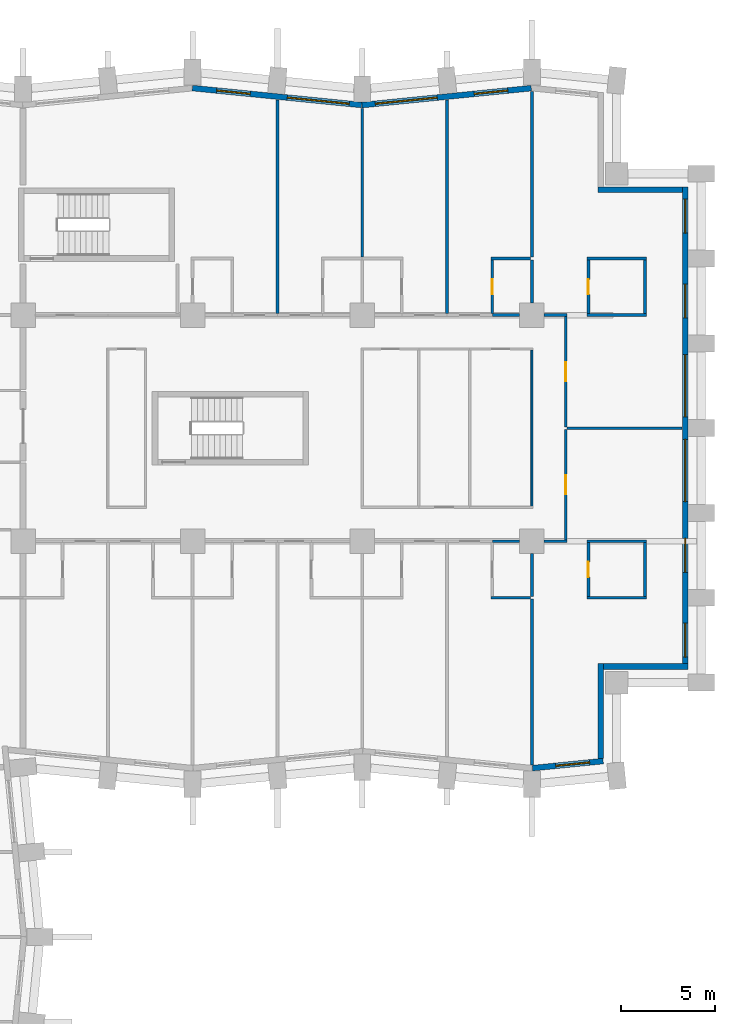
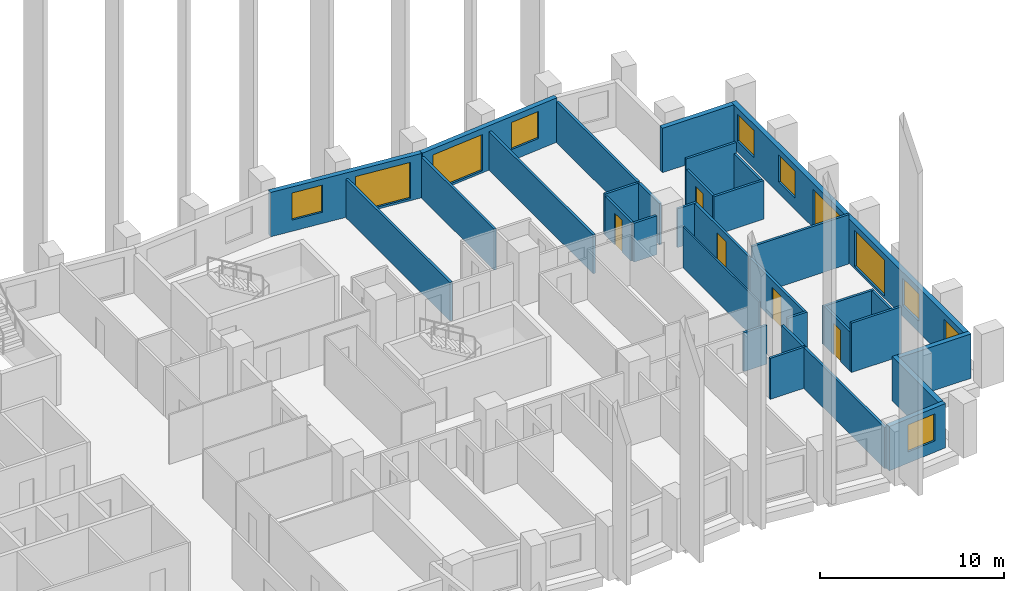
# One storey, part 10 of 13: 33 walls, 11 windows, 5 doors, 16 openings.
"""IFC4 building model written with IfcOpenShell, lengths in metres."""

from ifc_helpers import new_model, si_unit, direction, frame, frame_2d, origin, place, context, subcontext, project, spatial, rectangle, extrude, material, layer, layer_set, type_object, element, fill, save


model = new_model("IFC4")

# Units and contexts
model_context = context("Model", 3, precision=1e-05, world=origin(), true_north=direction((0.0, 1.0)))
body_context = subcontext(model_context, "Body", "Model", "MODEL_VIEW")
ifc_project = project(units=[si_unit("LENGTHUNIT", "METRE"), si_unit("AREAUNIT", "SQUARE_METRE"), si_unit("VOLUMEUNIT", "CUBIC_METRE"), si_unit("PLANEANGLEUNIT", "RADIAN"), si_unit("MASSUNIT", "GRAM", prefix="KILO")], contexts=[model_context])

# Site, building, storey
site_placement = place(None, origin())
site = spatial("IfcSite", under=ifc_project, at=site_placement, CompositionType="ELEMENT")
building_placement = place(site_placement, origin())
building = spatial("IfcBuilding", under=site, at=building_placement, Name="Brondeck Convention Tower", CompositionType="ELEMENT")
storey_placement = place(building_placement, frame((0.0, 0.0, 37.5)))
storey = spatial("IfcBuildingStorey", under=building, at=storey_placement, Name="L06", CompositionType="ELEMENT", Elevation=37.5)

# Wall, opening, window
ifc_material_1 = material(Name="Precast concrete C50/60 bronze finish", Category="concrete")
ifc_layer_1 = layer(ifc_material_1, 0.070068359375, Name="Bronze precast facing")
ifc_material_2 = material(Name="Mineral wool")
ifc_layer_2 = layer(ifc_material_2, 0.159912109375, Name="Insulation")
ifc_material_3 = material(Name="Concrete C35/45", Category="concrete")
ifc_layer_3 = layer(ifc_material_3, 0.070068359375, Name="Backing")
ifc_layer_set_1 = layer_set([ifc_layer_1, ifc_layer_2, ifc_layer_3], Name="External infill wall, precast concrete C50/60 bronze facing")
wall_type_1 = type_object("IfcWallType", Name="External infill wall, precast concrete C50/60 bronze facing", PredefinedType="SOLIDWALL", material=ifc_layer_set_1)
wall_1_placement = place(storey_placement, frame((66.78515625, 27.332763671875, 0.0), z_axis=(0.0, 0.0, 1.0), x_axis=(-0.995038471088, -0.099490909409, 0.0)))
wall_1 = element("IfcWall", 1, at=wall_1_placement, inside=storey, type_object=wall_type_1, Name="ENV-EW-L06-P0-A-S-06", PredefinedType="SOLIDWALL", context=body_context, shape_type="SweptSolid", body=[
    extrude(rectangle(XDim=3.774169921875, YDim=0.300048828125, at=frame_2d((1.88720703125, 0.0))), origin(), (0.0, 0.0, 1.0), 2.949951171875),
])
opening_1_placement = place(wall_1_placement, frame((0.727783203125, 0.0, 0.75)))
opening_1 = element("IfcOpeningElement", 2, at=opening_1_placement, cuts=wall_1, Name="Opening W10", PredefinedType="OPENING", context=body_context, shape_type="SweptSolid", body=[
    extrude(rectangle(XDim=1.800048828125, YDim=1.800048828125, at=frame_2d((0.89990234375, 0.89990234375))), frame((0.0, 0.159912109375, 0.0), z_axis=(0.0, -1.0, 0.0), x_axis=(1.0, 0.0, 0.0)), (0.0, 0.0, 1.0), 0.320068359375),
])
ifc_material_4 = material(Name="Bronze tinted double glazing", Category="glass")
window_type_1 = type_object("IfcWindowType", Name="Punched window, bronze tinted", PartitioningType="SINGLE_PANEL", PredefinedType="WINDOW", material=ifc_material_4)
window_1_placement = place(opening_1_placement, origin())
window_1 = element("IfcWindow", 3, at=window_1_placement, inside=storey, type_object=window_type_1, Name="ENV-WN-L06-P0-A-S-06", OverallHeight=1.800048828125, OverallWidth=1.800048828125, PartitioningType="SINGLE_PANEL", PredefinedType="WINDOW", context=body_context, shape_type="SweptSolid", body=[
    extrude(rectangle(XDim=1.800048828125, YDim=1.800048828125, at=frame_2d((0.89990234375, 0.89990234375))), frame((0.0, 0.030029296875, 0.0), z_axis=(0.0, -1.0, 0.0), x_axis=(1.0, 0.0, 0.0)), (0.0, 0.0, 1.0), 0.06005859375),
])
fill(opening_1, window_1)

# Walls
wall_2_placement = place(storey_placement, frame((66.64990234375, 32.5, 0.0), z_axis=(0.0, 0.0, 1.0), x_axis=(0.0, -1.0, 0.0)))
element("IfcWall", 4, at=wall_2_placement, inside=storey, type_object=wall_type_1, Name="ENV-EW-L06-P0-NC-SEA72-01", PredefinedType="SOLIDWALL", context=body_context, shape_type="SweptSolid", body=[
    extrude(rectangle(XDim=5.02880859375, YDim=0.300048828125, at=frame_2d((2.514404296875, 0.0))), origin(), (0.0, 0.0, 1.0), 2.949951171875),
])
wall_3_placement = place(storey_placement, frame((71.300048828125, 32.35009765625, 0.0), z_axis=(0.0, 0.0, 1.0), x_axis=(-1.0, 0.0, 0.0)))
element("IfcWall", 5, at=wall_3_placement, inside=storey, type_object=wall_type_1, Name="ENV-EW-L06-P0-NC-SEA72-02", PredefinedType="SOLIDWALL", context=body_context, shape_type="SweptSolid", body=[
    extrude(rectangle(XDim=4.5, YDim=0.300048828125, at=frame_2d((2.25, 0.0))), origin(), (0.0, 0.0, 1.0), 2.949951171875),
])

# Wall, openings, windows
wall_4_placement = place(storey_placement, frame((71.14990234375, 57.800048828125, 0.0), z_axis=(0.0, 0.0, 1.0), x_axis=(0.0, -1.0, 0.0)))
wall_4 = element("IfcWall", 6, at=wall_4_placement, inside=storey, type_object=wall_type_1, Name="ENV-EW-L06-P0-A-E72-01", PredefinedType="SOLIDWALL", context=body_context, shape_type="SweptSolid", body=[
    extrude(rectangle(XDim=25.302001953125, YDim=0.300048828125, at=frame_2d((12.65087890625, 0.0))), origin(), (0.0, 0.0, 1.0), 2.949951171875),
])
opening_2_placement = place(wall_4_placement, frame((0.64990234375, 0.0, 0.75)))
opening_2 = element("IfcOpeningElement", 7, at=opening_2_placement, cuts=wall_4, Name="Opening W10", PredefinedType="OPENING", context=body_context, shape_type="SweptSolid", body=[
    extrude(rectangle(XDim=1.800048828125, YDim=1.800048828125, at=frame_2d((0.89990234375, 0.89990234375))), frame((0.0, 0.159912109375, 0.0), z_axis=(0.0, -1.0, 0.0), x_axis=(1.0, 0.0, 0.0)), (0.0, 0.0, 1.0), 0.320068359375),
])
opening_3_placement = place(wall_4_placement, frame((5.14990234375, 0.0, 0.75)))
opening_3 = element("IfcOpeningElement", 8, at=opening_3_placement, cuts=wall_4, Name="Opening W10", PredefinedType="OPENING", context=body_context, shape_type="SweptSolid", body=[
    extrude(rectangle(XDim=1.800048828125, YDim=1.800048828125, at=frame_2d((0.89990234375, 0.89990234375))), frame((0.0, 0.159912109375, 0.0), z_axis=(0.0, -1.0, 0.0), x_axis=(1.0, 0.0, 0.0)), (0.0, 0.0, 1.0), 0.320068359375),
])
opening_4_placement = place(wall_4_placement, frame((8.89990234375, 0.0, 0.14990234375)))
opening_4 = element("IfcOpeningElement", 9, at=opening_4_placement, cuts=wall_4, Name="Opening W9", PredefinedType="OPENING", context=body_context, shape_type="SweptSolid", body=[
    extrude(rectangle(XDim=3.300048828125, YDim=2.39990234375, at=frame_2d((1.64990234375, 1.199951171875))), frame((0.0, 0.159912109375, 0.0), z_axis=(0.0, -1.0, 0.0), x_axis=(1.0, 0.0, 0.0)), (0.0, 0.0, 1.0), 0.320068359375),
])
opening_5_placement = place(wall_4_placement, frame((13.39990234375, 0.0, 0.14990234375)))
opening_5 = element("IfcOpeningElement", 10, at=opening_5_placement, cuts=wall_4, Name="Opening W9", PredefinedType="OPENING", context=body_context, shape_type="SweptSolid", body=[
    extrude(rectangle(XDim=3.300048828125, YDim=2.39990234375, at=frame_2d((1.64990234375, 1.199951171875))), frame((0.0, 0.159912109375, 0.0), z_axis=(0.0, -1.0, 0.0), x_axis=(1.0, 0.0, 0.0)), (0.0, 0.0, 1.0), 0.320068359375),
])
opening_6_placement = place(wall_4_placement, frame((18.64990234375, 0.0, 0.75)))
opening_6 = element("IfcOpeningElement", 11, at=opening_6_placement, cuts=wall_4, Name="Opening W10", PredefinedType="OPENING", context=body_context, shape_type="SweptSolid", body=[
    extrude(rectangle(XDim=1.800048828125, YDim=1.800048828125, at=frame_2d((0.89990234375, 0.89990234375))), frame((0.0, 0.159912109375, 0.0), z_axis=(0.0, -1.0, 0.0), x_axis=(1.0, 0.0, 0.0)), (0.0, 0.0, 1.0), 0.320068359375),
])
opening_7_placement = place(wall_4_placement, frame((23.14990234375, 0.0, 0.75)))
opening_7 = element("IfcOpeningElement", 12, at=opening_7_placement, cuts=wall_4, Name="Opening W10", PredefinedType="OPENING", context=body_context, shape_type="SweptSolid", body=[
    extrude(rectangle(XDim=1.800048828125, YDim=1.800048828125, at=frame_2d((0.89990234375, 0.89990234375))), frame((0.0, 0.159912109375, 0.0), z_axis=(0.0, -1.0, 0.0), x_axis=(1.0, 0.0, 0.0)), (0.0, 0.0, 1.0), 0.320068359375),
])
window_type_2 = type_object("IfcWindowType", Name="Glazed flute window, bronze tinted", PartitioningType="SINGLE_PANEL", PredefinedType="WINDOW", material=ifc_material_4)
window_2_placement = place(opening_4_placement, origin())
window_2 = element("IfcWindow", 13, at=window_2_placement, inside=storey, type_object=window_type_2, Name="ENV-WN-L06-P0-A-E72-04", OverallHeight=2.39990234375, OverallWidth=3.300048828125, PartitioningType="SINGLE_PANEL", PredefinedType="WINDOW", context=body_context, shape_type="SweptSolid", body=[
    extrude(rectangle(XDim=3.300048828125, YDim=2.39990234375, at=frame_2d((1.64990234375, 1.199951171875))), frame((0.0, 0.030029296875, 0.0), z_axis=(0.0, -1.0, 0.0), x_axis=(1.0, 0.0, 0.0)), (0.0, 0.0, 1.0), 0.06005859375),
])
fill(opening_4, window_2)
window_3_placement = place(opening_5_placement, origin())
window_3 = element("IfcWindow", 14, at=window_3_placement, inside=storey, type_object=window_type_2, Name="ENV-WN-L06-P0-A-E72-03", OverallHeight=2.39990234375, OverallWidth=3.300048828125, PartitioningType="SINGLE_PANEL", PredefinedType="WINDOW", context=body_context, shape_type="SweptSolid", body=[
    extrude(rectangle(XDim=3.300048828125, YDim=2.39990234375, at=frame_2d((1.64990234375, 1.199951171875))), frame((0.0, 0.030029296875, 0.0), z_axis=(0.0, -1.0, 0.0), x_axis=(1.0, 0.0, 0.0)), (0.0, 0.0, 1.0), 0.06005859375),
])
fill(opening_5, window_3)
window_4_placement = place(opening_2_placement, origin())
window_4 = element("IfcWindow", 15, at=window_4_placement, inside=storey, type_object=window_type_1, Name="ENV-WN-L06-P0-A-E72-06", OverallHeight=1.800048828125, OverallWidth=1.800048828125, PartitioningType="SINGLE_PANEL", PredefinedType="WINDOW", context=body_context, shape_type="SweptSolid", body=[
    extrude(rectangle(XDim=1.800048828125, YDim=1.800048828125, at=frame_2d((0.89990234375, 0.89990234375))), frame((0.0, 0.030029296875, 0.0), z_axis=(0.0, -1.0, 0.0), x_axis=(1.0, 0.0, 0.0)), (0.0, 0.0, 1.0), 0.06005859375),
])
fill(opening_2, window_4)
window_5_placement = place(opening_3_placement, origin())
window_5 = element("IfcWindow", 16, at=window_5_placement, inside=storey, type_object=window_type_1, Name="ENV-WN-L06-P0-A-E72-05", OverallHeight=1.800048828125, OverallWidth=1.800048828125, PartitioningType="SINGLE_PANEL", PredefinedType="WINDOW", context=body_context, shape_type="SweptSolid", body=[
    extrude(rectangle(XDim=1.800048828125, YDim=1.800048828125, at=frame_2d((0.89990234375, 0.89990234375))), frame((0.0, 0.030029296875, 0.0), z_axis=(0.0, -1.0, 0.0), x_axis=(1.0, 0.0, 0.0)), (0.0, 0.0, 1.0), 0.06005859375),
])
fill(opening_3, window_5)
window_6_placement = place(opening_6_placement, origin())
window_6 = element("IfcWindow", 17, at=window_6_placement, inside=storey, type_object=window_type_1, Name="ENV-WN-L06-P0-A-E72-02", OverallHeight=1.800048828125, OverallWidth=1.800048828125, PartitioningType="SINGLE_PANEL", PredefinedType="WINDOW", context=body_context, shape_type="SweptSolid", body=[
    extrude(rectangle(XDim=1.800048828125, YDim=1.800048828125, at=frame_2d((0.89990234375, 0.89990234375))), frame((0.0, 0.030029296875, 0.0), z_axis=(0.0, -1.0, 0.0), x_axis=(1.0, 0.0, 0.0)), (0.0, 0.0, 1.0), 0.06005859375),
])
fill(opening_6, window_6)
window_7_placement = place(opening_7_placement, origin())
window_7 = element("IfcWindow", 18, at=window_7_placement, inside=storey, type_object=window_type_1, Name="ENV-WN-L06-P0-A-E72-01", OverallHeight=1.800048828125, OverallWidth=1.800048828125, PartitioningType="SINGLE_PANEL", PredefinedType="WINDOW", context=body_context, shape_type="SweptSolid", body=[
    extrude(rectangle(XDim=1.800048828125, YDim=1.800048828125, at=frame_2d((0.89990234375, 0.89990234375))), frame((0.0, 0.030029296875, 0.0), z_axis=(0.0, -1.0, 0.0), x_axis=(1.0, 0.0, 0.0)), (0.0, 0.0, 1.0), 0.06005859375),
])
fill(opening_7, window_7)

# Wall
wall_5_placement = place(storey_placement, frame((66.5, 57.64990234375, 0.0), z_axis=(0.0, 0.0, 1.0), x_axis=(1.0, 0.0, 0.0)))
element("IfcWall", 19, at=wall_5_placement, inside=storey, type_object=wall_type_1, Name="ENV-EW-L06-P0-NC-NEA72-01", PredefinedType="SOLIDWALL", context=body_context, shape_type="SweptSolid", body=[
    extrude(rectangle(XDim=4.5, YDim=0.300048828125, at=frame_2d((2.25, 0.0))), origin(), (0.0, 0.0, 1.0), 2.949951171875),
])

# Wall, openings, windows
wall_6_placement = place(storey_placement, frame((53.985107421875, 62.144287109375, 0.0), z_axis=(0.0, 0.0, 1.0), x_axis=(0.995037993253, 0.099495688264, 0.0)))
wall_6 = element("IfcWall", 20, at=wall_6_placement, inside=storey, type_object=wall_type_1, Name="ENV-EW-L06-P0-A-N-13", PredefinedType="SOLIDWALL", context=body_context, shape_type="SweptSolid", body=[
    extrude(rectangle(XDim=9.030029296875, YDim=0.300048828125, at=frame_2d((4.51513671875, 0.0))), origin(), (0.0, 0.0, 1.0), 2.949951171875),
])
opening_8_placement = place(wall_6_placement, frame((0.711181640625, 0.0, 0.14990234375)))
opening_8 = element("IfcOpeningElement", 21, at=opening_8_placement, cuts=wall_6, Name="Opening W9", PredefinedType="OPENING", context=body_context, shape_type="SweptSolid", body=[
    extrude(rectangle(XDim=3.300048828125, YDim=2.39990234375, at=frame_2d((1.64990234375, 1.199951171875))), frame((0.0, 0.159912109375, 0.0), z_axis=(0.0, -1.0, 0.0), x_axis=(1.0, 0.0, 0.0)), (0.0, 0.0, 1.0), 0.320068359375),
])
opening_9_placement = place(wall_6_placement, frame((5.983642578125, 0.0, 0.75)))
opening_9 = element("IfcOpeningElement", 22, at=opening_9_placement, cuts=wall_6, Name="Opening W10", PredefinedType="OPENING", context=body_context, shape_type="SweptSolid", body=[
    extrude(rectangle(XDim=1.800048828125, YDim=1.800048828125, at=frame_2d((0.89990234375, 0.89990234375))), frame((0.0, 0.159912109375, 0.0), z_axis=(0.0, -1.0, 0.0), x_axis=(1.0, 0.0, 0.0)), (0.0, 0.0, 1.0), 0.320068359375),
])
window_8_placement = place(opening_8_placement, origin())
window_8 = element("IfcWindow", 23, at=window_8_placement, inside=storey, type_object=window_type_2, Name="ENV-WN-L06-P0-A-N-12", OverallHeight=2.39990234375, OverallWidth=3.300048828125, PartitioningType="SINGLE_PANEL", PredefinedType="WINDOW", context=body_context, shape_type="SweptSolid", body=[
    extrude(rectangle(XDim=3.300048828125, YDim=2.39990234375, at=frame_2d((1.64990234375, 1.199951171875))), frame((0.0, 0.030029296875, 0.0), z_axis=(0.0, -1.0, 0.0), x_axis=(1.0, 0.0, 0.0)), (0.0, 0.0, 1.0), 0.06005859375),
])
fill(opening_8, window_8)
window_9_placement = place(opening_9_placement, origin())
window_9 = element("IfcWindow", 24, at=window_9_placement, inside=storey, type_object=window_type_1, Name="ENV-WN-L06-P0-A-N-13", OverallHeight=1.800048828125, OverallWidth=1.800048828125, PartitioningType="SINGLE_PANEL", PredefinedType="WINDOW", context=body_context, shape_type="SweptSolid", body=[
    extrude(rectangle(XDim=1.800048828125, YDim=1.800048828125, at=frame_2d((0.89990234375, 0.89990234375))), frame((0.0, 0.030029296875, 0.0), z_axis=(0.0, -1.0, 0.0), x_axis=(1.0, 0.0, 0.0)), (0.0, 0.0, 1.0), 0.06005859375),
])
fill(opening_9, window_9)

wall_7_placement = place(storey_placement, frame((44.985107421875, 63.04736328125, 0.0), z_axis=(0.0, 0.0, 1.0), x_axis=(0.995035316196, -0.099522457379, 0.0)))
wall_7 = element("IfcWall", 25, at=wall_7_placement, inside=storey, type_object=wall_type_1, Name="ENV-EW-L06-P0-A-N-11", PredefinedType="SOLIDWALL", context=body_context, shape_type="SweptSolid", body=[
    extrude(rectangle(XDim=9.030029296875, YDim=0.300048828125, at=frame_2d((4.51513671875, 0.0))), origin(), (0.0, 0.0, 1.0), 2.949951171875),
])
opening_10_placement = place(wall_7_placement, frame((1.291259765625, 0.0, 0.75)))
opening_10 = element("IfcOpeningElement", 26, at=opening_10_placement, cuts=wall_7, Name="Opening W10", PredefinedType="OPENING", context=body_context, shape_type="SweptSolid", body=[
    extrude(rectangle(XDim=1.800048828125, YDim=1.800048828125, at=frame_2d((0.89990234375, 0.89990234375))), frame((0.0, 0.159912109375, 0.0), z_axis=(0.0, -1.0, 0.0), x_axis=(1.0, 0.0, 0.0)), (0.0, 0.0, 1.0), 0.320068359375),
])
opening_11_placement = place(wall_7_placement, frame((5.063720703125, 0.0, 0.14990234375)))
opening_11 = element("IfcOpeningElement", 27, at=opening_11_placement, cuts=wall_7, Name="Opening W9", PredefinedType="OPENING", context=body_context, shape_type="SweptSolid", body=[
    extrude(rectangle(XDim=3.300048828125, YDim=2.39990234375, at=frame_2d((1.64990234375, 1.199951171875))), frame((0.0, 0.159912109375, 0.0), z_axis=(0.0, -1.0, 0.0), x_axis=(1.0, 0.0, 0.0)), (0.0, 0.0, 1.0), 0.320068359375),
])
window_10_placement = place(opening_11_placement, origin())
window_10 = element("IfcWindow", 28, at=window_10_placement, inside=storey, type_object=window_type_2, Name="ENV-WN-L06-P0-A-N-11", OverallHeight=2.39990234375, OverallWidth=3.300048828125, PartitioningType="SINGLE_PANEL", PredefinedType="WINDOW", context=body_context, shape_type="SweptSolid", body=[
    extrude(rectangle(XDim=3.300048828125, YDim=2.39990234375, at=frame_2d((1.64990234375, 1.199951171875))), frame((0.0, 0.030029296875, 0.0), z_axis=(0.0, -1.0, 0.0), x_axis=(1.0, 0.0, 0.0)), (0.0, 0.0, 1.0), 0.06005859375),
])
fill(opening_11, window_10)
window_11_placement = place(opening_10_placement, origin())
window_11 = element("IfcWindow", 29, at=window_11_placement, inside=storey, type_object=window_type_1, Name="ENV-WN-L06-P0-A-N-10", OverallHeight=1.800048828125, OverallWidth=1.800048828125, PartitioningType="SINGLE_PANEL", PredefinedType="WINDOW", context=body_context, shape_type="SweptSolid", body=[
    extrude(rectangle(XDim=1.800048828125, YDim=1.800048828125, at=frame_2d((0.89990234375, 0.89990234375))), frame((0.0, 0.030029296875, 0.0), z_axis=(0.0, -1.0, 0.0), x_axis=(1.0, 0.0, 0.0)), (0.0, 0.0, 1.0), 0.06005859375),
])
fill(opening_10, window_11)

# Walls
ifc_material_5 = material(Name="Double gypsum board acoustic wall")
ifc_layer_4 = layer(ifc_material_5, 0.14990234375)
ifc_layer_set_2 = layer_set([ifc_layer_4], Name="Guest room party wall 150")
wall_type_2 = type_object("IfcWallType", Name="Guest room party wall 150", PredefinedType="PARTITIONING", material=ifc_layer_set_2)
wall_8_placement = place(storey_placement, frame((63.0, 35.925048828125, 0.0), z_axis=(0.0, 0.0, 1.0), x_axis=(0.0, -1.0, 0.0)))
element("IfcWall", 30, at=wall_8_placement, inside=storey, type_object=wall_type_2, Name="FLR-L06-W063", PredefinedType="PARTITIONING", context=body_context, shape_type="SweptSolid", body=[
    extrude(rectangle(XDim=8.800048828125, YDim=0.14990234375, at=frame_2d((4.39990234375, 0.0))), origin(), (0.0, 0.0, 1.0), 2.72998046875),
])
wall_9_placement = place(storey_placement, frame((60.824951171875, 36.0, 0.0), z_axis=(0.0, 0.0, 1.0), x_axis=(1.0, 0.0, 0.0)))
element("IfcWall", 31, at=wall_9_placement, inside=storey, type_object=wall_type_2, Name="FLR-L06-W071", PredefinedType="PARTITIONING", context=body_context, shape_type="SweptSolid", body=[
    extrude(rectangle(XDim=2.10009765625, YDim=0.14990234375, at=frame_2d((1.050048828125, 0.0))), origin(), (0.0, 0.0, 1.0), 2.72998046875),
])
wall_10_placement = place(storey_placement, frame((65.925048828125, 36.0, 0.0), z_axis=(0.0, 0.0, 1.0), x_axis=(1.0, 0.0, 0.0)))
element("IfcWall", 32, at=wall_10_placement, inside=storey, type_object=wall_type_2, Name="FLR-L06-W072", PredefinedType="PARTITIONING", context=body_context, shape_type="SweptSolid", body=[
    extrude(rectangle(XDim=3.14990234375, YDim=0.14990234375, at=frame_2d((1.574951171875, 0.0))), origin(), (0.0, 0.0, 1.0), 3.280029296875),
])
wall_11_placement = place(storey_placement, frame((69.0, 36.074951171875, 0.0), z_axis=(0.0, 0.0, 1.0), x_axis=(0.0, 1.0, 0.0)))
element("IfcWall", 33, at=wall_11_placement, inside=storey, type_object=wall_type_2, Name="FLR-L06-W076", PredefinedType="PARTITIONING", context=body_context, shape_type="SweptSolid", body=[
    extrude(rectangle(XDim=2.85009765625, YDim=0.14990234375, at=frame_2d((1.425048828125, 0.0))), origin(), (0.0, 0.0, 1.0), 2.580078125),
])
wall_12_placement = place(storey_placement, frame((63.0, 38.344970703125, 0.0), z_axis=(0.0, 0.0, 1.0), x_axis=(0.0, -1.0, 0.0)))
element("IfcWall", 34, at=wall_12_placement, inside=storey, type_object=wall_type_2, Name="FLR-L06-W080", PredefinedType="PARTITIONING", context=body_context, shape_type="SweptSolid", body=[
    extrude(rectangle(XDim=2.27001953125, YDim=0.14990234375, at=frame_2d((1.135009765625, 0.0))), origin(), (0.0, 0.0, 1.0), 2.72998046875),
])

# Wall, opening, door
wall_13_placement = place(storey_placement, frame((66.0, 38.925048828125, 0.0), z_axis=(0.0, 0.0, 1.0), x_axis=(0.0, -1.0, 0.0)))
wall_13 = element("IfcWall", 35, at=wall_13_placement, inside=storey, type_object=wall_type_2, Name="FLR-L06-W087", PredefinedType="PARTITIONING", context=body_context, shape_type="SweptSolid", body=[
    extrude(rectangle(XDim=2.85009765625, YDim=0.14990234375, at=frame_2d((1.425048828125, 0.0))), origin(), (0.0, 0.0, 1.0), 2.580078125),
])
opening_12_placement = place(wall_13_placement, frame((1.02490234375, 0.0, 0.0)))
opening_12 = element("IfcOpeningElement", 36, at=opening_12_placement, cuts=wall_13, Name="Opening H1-029", PredefinedType="OPENING", context=body_context, shape_type="SweptSolid", body=[
    extrude(rectangle(XDim=0.800048828125, YDim=2.10009765625, at=frame_2d((0.39990234375, 1.050048828125))), frame((0.0, 0.0849609375, 0.0), z_axis=(0.0, -1.0, 0.0), x_axis=(1.0, 0.0, 0.0)), (0.0, 0.0, 1.0), 0.169921875),
])
ifc_material_6 = material(Name="Solid timber door leaf", Category="wood")
door_type_1 = type_object("IfcDoorType", Name="En-suite door 800", OperationType="NOTDEFINED", PredefinedType="DOOR", material=ifc_material_6)
door_1_placement = place(opening_12_placement, origin())
door_1 = element("IfcDoor", 37, at=door_1_placement, inside=storey, type_object=door_type_1, Name="Door H1-029", OperationType="SINGLE_SWING_RIGHT", OverallHeight=2.10009765625, OverallWidth=0.800048828125, PredefinedType="DOOR", context=body_context, shape_type="SweptSolid", body=[
    extrude(rectangle(XDim=0.800048828125, YDim=2.10009765625, at=frame_2d((0.39990234375, 1.050048828125))), frame((0.0, 0.02490234375, 0.0), z_axis=(0.0, -1.0, 0.0), x_axis=(1.0, 0.0, 0.0)), (0.0, 0.0, 1.0), 0.050048828125),
])
fill(opening_12, door_1)

# Walls
wall_14_placement = place(storey_placement, frame((62.344970703125, 39.0, 0.0), z_axis=(0.0, 0.0, 1.0), x_axis=(-1.0, 0.0, 0.0)))
element("IfcWall", 38, at=wall_14_placement, inside=storey, type_object=wall_type_2, Name="FLR-L06-W099", PredefinedType="PARTITIONING", context=body_context, shape_type="SweptSolid", body=[
    extrude(rectangle(XDim=1.445068359375, YDim=0.14990234375, at=frame_2d((0.72265625, 0.0))), origin(), (0.0, 0.0, 1.0), 2.580078125),
])
wall_15_placement = place(storey_placement, frame((64.875, 39.0, 0.0), z_axis=(0.0, 0.0, 1.0), x_axis=(-1.0, 0.0, 0.0)))
element("IfcWall", 39, at=wall_15_placement, inside=storey, type_object=wall_type_2, Name="FLR-L06-W100", PredefinedType="PARTITIONING", context=body_context, shape_type="SweptSolid", body=[
    extrude(rectangle(XDim=1.219970703125, YDim=0.14990234375, at=frame_2d((0.60986328125, 0.0))), origin(), (0.0, 0.0, 1.0), 2.580078125),
])
wall_16_placement = place(storey_placement, frame((69.074951171875, 39.0, 0.0), z_axis=(0.0, 0.0, 1.0), x_axis=(-1.0, 0.0, 0.0)))
element("IfcWall", 40, at=wall_16_placement, inside=storey, type_object=wall_type_2, Name="FLR-L06-W101", PredefinedType="PARTITIONING", context=body_context, shape_type="SweptSolid", body=[
    extrude(rectangle(XDim=3.14990234375, YDim=0.14990234375, at=frame_2d((1.574951171875, 0.0))), origin(), (0.0, 0.0, 1.0), 2.580078125),
])

# Wall, opening, door
wall_17_placement = place(storey_placement, frame((64.800048828125, 44.925048828125, 0.0), z_axis=(0.0, 0.0, 1.0), x_axis=(0.0, -1.0, 0.0)))
wall_17 = element("IfcWall", 41, at=wall_17_placement, inside=storey, type_object=wall_type_2, Name="FLR-L06-W112", PredefinedType="PARTITIONING", context=body_context, shape_type="SweptSolid", body=[
    extrude(rectangle(XDim=5.85009765625, YDim=0.14990234375, at=frame_2d((2.925048828125, 0.0))), origin(), (0.0, 0.0, 1.0), 2.580078125),
])
opening_13_placement = place(wall_17_placement, frame((2.425048828125, 0.0, 0.0)))
opening_13 = element("IfcOpeningElement", 42, at=opening_13_placement, cuts=wall_17, Name="Opening H1-028", PredefinedType="OPENING", context=body_context, shape_type="SweptSolid", body=[
    extrude(rectangle(XDim=1.0, YDim=2.10009765625, at=frame_2d((0.5, 1.050048828125))), frame((0.0, 0.0849609375, 0.0), z_axis=(0.0, -1.0, 0.0), x_axis=(1.0, 0.0, 0.0)), (0.0, 0.0, 1.0), 0.169921875),
])
ifc_material_7 = material(Name="Solid timber fire door leaf", Category="wood")
door_type_2 = type_object("IfcDoorType", Name="Guest room door 1000", OperationType="NOTDEFINED", PredefinedType="DOOR", material=ifc_material_7)
door_2_placement = place(opening_13_placement, origin())
door_2 = element("IfcDoor", 43, at=door_2_placement, inside=storey, type_object=door_type_2, Name="Door H1-028", OperationType="SINGLE_SWING_LEFT", OverallHeight=2.10009765625, OverallWidth=1.0, PredefinedType="DOOR", context=body_context, shape_type="SweptSolid", body=[
    extrude(rectangle(XDim=1.0, YDim=2.10009765625, at=frame_2d((0.5, 1.050048828125))), frame((0.0, 0.02490234375, 0.0), z_axis=(0.0, -1.0, 0.0), x_axis=(1.0, 0.0, 0.0)), (0.0, 0.0, 1.0), 0.050048828125),
])
fill(opening_13, door_2)

# Wall
wall_18_placement = place(storey_placement, frame((70.97998046875, 45.0, 0.0), z_axis=(0.0, 0.0, 1.0), x_axis=(-1.0, 0.0, 0.0)))
element("IfcWall", 44, at=wall_18_placement, inside=storey, type_object=wall_type_2, Name="FLR-L06-W113", PredefinedType="PARTITIONING", context=body_context, shape_type="SweptSolid", body=[
    extrude(rectangle(XDim=6.10498046875, YDim=0.14990234375, at=frame_2d((3.052490234375, 0.0))), origin(), (0.0, 0.0, 1.0), 3.280029296875),
])

# Wall, opening, door
wall_19_placement = place(storey_placement, frame((64.800048828125, 50.925048828125, 0.0), z_axis=(0.0, 0.0, 1.0), x_axis=(0.0, -1.0, 0.0)))
wall_19 = element("IfcWall", 45, at=wall_19_placement, inside=storey, type_object=wall_type_2, Name="FLR-L06-W128", PredefinedType="PARTITIONING", context=body_context, shape_type="SweptSolid", body=[
    extrude(rectangle(XDim=5.85009765625, YDim=0.14990234375, at=frame_2d((2.925048828125, 0.0))), origin(), (0.0, 0.0, 1.0), 2.580078125),
])
opening_14_placement = place(wall_19_placement, frame((2.425048828125, 0.0, 0.0)))
opening_14 = element("IfcOpeningElement", 46, at=opening_14_placement, cuts=wall_19, Name="Opening H1-026", PredefinedType="OPENING", context=body_context, shape_type="SweptSolid", body=[
    extrude(rectangle(XDim=1.0, YDim=2.10009765625, at=frame_2d((0.5, 1.050048828125))), frame((0.0, 0.0849609375, 0.0), z_axis=(0.0, -1.0, 0.0), x_axis=(1.0, 0.0, 0.0)), (0.0, 0.0, 1.0), 0.169921875),
])
door_3_placement = place(opening_14_placement, origin())
door_3 = element("IfcDoor", 47, at=door_3_placement, inside=storey, type_object=door_type_2, Name="Door H1-026", OperationType="SINGLE_SWING_LEFT", OverallHeight=2.10009765625, OverallWidth=1.0, PredefinedType="DOOR", context=body_context, shape_type="SweptSolid", body=[
    extrude(rectangle(XDim=1.0, YDim=2.10009765625, at=frame_2d((0.5, 1.050048828125))), frame((0.0, 0.02490234375, 0.0), z_axis=(0.0, -1.0, 0.0), x_axis=(1.0, 0.0, 0.0)), (0.0, 0.0, 1.0), 0.050048828125),
])
fill(opening_14, door_3)

# Walls
wall_20_placement = place(storey_placement, frame((60.89990234375, 51.0, 0.0), z_axis=(0.0, 0.0, 1.0), x_axis=(1.0, 0.0, 0.0)))
element("IfcWall", 48, at=wall_20_placement, inside=storey, type_object=wall_type_2, Name="FLR-L06-W140", PredefinedType="PARTITIONING", context=body_context, shape_type="SweptSolid", body=[
    extrude(rectangle(XDim=1.445068359375, YDim=0.14990234375, at=frame_2d((0.72265625, 0.0))), origin(), (0.0, 0.0, 1.0), 2.580078125),
])
wall_21_placement = place(storey_placement, frame((63.655029296875, 51.0, 0.0), z_axis=(0.0, 0.0, 1.0), x_axis=(1.0, 0.0, 0.0)))
element("IfcWall", 49, at=wall_21_placement, inside=storey, type_object=wall_type_2, Name="FLR-L06-W141", PredefinedType="PARTITIONING", context=body_context, shape_type="SweptSolid", body=[
    extrude(rectangle(XDim=1.219970703125, YDim=0.14990234375, at=frame_2d((0.60986328125, 0.0))), origin(), (0.0, 0.0, 1.0), 2.580078125),
])
wall_22_placement = place(storey_placement, frame((65.925048828125, 51.0, 0.0), z_axis=(0.0, 0.0, 1.0), x_axis=(1.0, 0.0, 0.0)))
element("IfcWall", 50, at=wall_22_placement, inside=storey, type_object=wall_type_2, Name="FLR-L06-W142", PredefinedType="PARTITIONING", context=body_context, shape_type="SweptSolid", body=[
    extrude(rectangle(XDim=3.14990234375, YDim=0.14990234375, at=frame_2d((1.574951171875, 0.0))), origin(), (0.0, 0.0, 1.0), 2.580078125),
])
wall_23_placement = place(storey_placement, frame((69.0, 51.074951171875, 0.0), z_axis=(0.0, 0.0, 1.0), x_axis=(0.0, 1.0, 0.0)))
element("IfcWall", 51, at=wall_23_placement, inside=storey, type_object=wall_type_2, Name="FLR-L06-W146", PredefinedType="PARTITIONING", context=body_context, shape_type="SweptSolid", body=[
    extrude(rectangle(XDim=2.85009765625, YDim=0.14990234375, at=frame_2d((1.425048828125, 0.0))), origin(), (0.0, 0.0, 1.0), 2.580078125),
])

# Wall, opening, door
wall_24_placement = place(storey_placement, frame((60.89990234375, 53.925048828125, 0.0), z_axis=(0.0, 0.0, 1.0), x_axis=(0.0, -1.0, 0.0)))
wall_24 = element("IfcWall", 52, at=wall_24_placement, inside=storey, type_object=wall_type_2, Name="FLR-L06-W153", PredefinedType="PARTITIONING", context=body_context, shape_type="SweptSolid", body=[
    extrude(rectangle(XDim=2.85009765625, YDim=0.14990234375, at=frame_2d((1.425048828125, 0.0))), origin(), (0.0, 0.0, 1.0), 2.580078125),
])
opening_15_placement = place(wall_24_placement, frame((1.02490234375, 0.0, 0.0)))
opening_15 = element("IfcOpeningElement", 53, at=opening_15_placement, cuts=wall_24, Name="Opening H1-009", PredefinedType="OPENING", context=body_context, shape_type="SweptSolid", body=[
    extrude(rectangle(XDim=0.800048828125, YDim=2.10009765625, at=frame_2d((0.39990234375, 1.050048828125))), frame((0.0, 0.0849609375, 0.0), z_axis=(0.0, -1.0, 0.0), x_axis=(1.0, 0.0, 0.0)), (0.0, 0.0, 1.0), 0.169921875),
])
door_4_placement = place(opening_15_placement, origin())
door_4 = element("IfcDoor", 54, at=door_4_placement, inside=storey, type_object=door_type_1, Name="Door H1-009", OperationType="SINGLE_SWING_LEFT", OverallHeight=2.10009765625, OverallWidth=0.800048828125, PredefinedType="DOOR", context=body_context, shape_type="SweptSolid", body=[
    extrude(rectangle(XDim=0.800048828125, YDim=2.10009765625, at=frame_2d((0.39990234375, 1.050048828125))), frame((0.0, 0.02490234375, 0.0), z_axis=(0.0, -1.0, 0.0), x_axis=(1.0, 0.0, 0.0)), (0.0, 0.0, 1.0), 0.050048828125),
])
fill(opening_15, door_4)

# Wall
wall_25_placement = place(storey_placement, frame((63.0, 53.925048828125, 0.0), z_axis=(0.0, 0.0, 1.0), x_axis=(0.0, -1.0, 0.0)))
element("IfcWall", 55, at=wall_25_placement, inside=storey, type_object=wall_type_2, Name="FLR-L06-W154", PredefinedType="PARTITIONING", context=body_context, shape_type="SweptSolid", body=[
    extrude(rectangle(XDim=2.27001953125, YDim=0.14990234375, at=frame_2d((1.135009765625, 0.0))), origin(), (0.0, 0.0, 1.0), 2.72998046875),
])

# Wall, opening, door
wall_26_placement = place(storey_placement, frame((66.0, 53.925048828125, 0.0), z_axis=(0.0, 0.0, 1.0), x_axis=(0.0, -1.0, 0.0)))
wall_26 = element("IfcWall", 56, at=wall_26_placement, inside=storey, type_object=wall_type_2, Name="FLR-L06-W155", PredefinedType="PARTITIONING", context=body_context, shape_type="SweptSolid", body=[
    extrude(rectangle(XDim=2.85009765625, YDim=0.14990234375, at=frame_2d((1.425048828125, 0.0))), origin(), (0.0, 0.0, 1.0), 2.580078125),
])
opening_16_placement = place(wall_26_placement, frame((1.02490234375, 0.0, 0.0)))
opening_16 = element("IfcOpeningElement", 57, at=opening_16_placement, cuts=wall_26, Name="Opening H1-027", PredefinedType="OPENING", context=body_context, shape_type="SweptSolid", body=[
    extrude(rectangle(XDim=0.800048828125, YDim=2.10009765625, at=frame_2d((0.39990234375, 1.050048828125))), frame((0.0, 0.0849609375, 0.0), z_axis=(0.0, -1.0, 0.0), x_axis=(1.0, 0.0, 0.0)), (0.0, 0.0, 1.0), 0.169921875),
])
door_5_placement = place(opening_16_placement, origin())
door_5 = element("IfcDoor", 58, at=door_5_placement, inside=storey, type_object=door_type_1, Name="Door H1-027", OperationType="SINGLE_SWING_RIGHT", OverallHeight=2.10009765625, OverallWidth=0.800048828125, PredefinedType="DOOR", context=body_context, shape_type="SweptSolid", body=[
    extrude(rectangle(XDim=0.800048828125, YDim=2.10009765625, at=frame_2d((0.39990234375, 1.050048828125))), frame((0.0, 0.02490234375, 0.0), z_axis=(0.0, -1.0, 0.0), x_axis=(1.0, 0.0, 0.0)), (0.0, 0.0, 1.0), 0.050048828125),
])
fill(opening_16, door_5)

# Walls
wall_27_placement = place(storey_placement, frame((62.925048828125, 54.0, 0.0), z_axis=(0.0, 0.0, 1.0), x_axis=(-1.0, 0.0, 0.0)))
element("IfcWall", 59, at=wall_27_placement, inside=storey, type_object=wall_type_2, Name="FLR-L06-W160", PredefinedType="PARTITIONING", context=body_context, shape_type="SweptSolid", body=[
    extrude(rectangle(XDim=2.10009765625, YDim=0.14990234375, at=frame_2d((1.050048828125, 0.0))), origin(), (0.0, 0.0, 1.0), 2.72998046875),
])
wall_28_placement = place(storey_placement, frame((69.074951171875, 54.0, 0.0), z_axis=(0.0, 0.0, 1.0), x_axis=(-1.0, 0.0, 0.0)))
element("IfcWall", 60, at=wall_28_placement, inside=storey, type_object=wall_type_2, Name="FLR-L06-W161", PredefinedType="PARTITIONING", context=body_context, shape_type="SweptSolid", body=[
    extrude(rectangle(XDim=3.14990234375, YDim=0.14990234375, at=frame_2d((1.574951171875, 0.0))), origin(), (0.0, 0.0, 1.0), 3.280029296875),
])
wall_29_placement = place(storey_placement, frame((54.0, 61.97509765625, 0.0), z_axis=(0.0, 0.0, 1.0), x_axis=(0.0, -1.0, 0.0)))
element("IfcWall", 61, at=wall_29_placement, inside=storey, type_object=wall_type_2, Name="FLR-L06-W163", PredefinedType="PARTITIONING", context=body_context, shape_type="SweptSolid", body=[
    extrude(rectangle(XDim=7.900146484375, YDim=0.14990234375, at=frame_2d((3.9501953125, 0.0))), origin(), (0.0, 0.0, 1.0), 2.72998046875),
])
for number, where, z_axis, x_axis, name in (
    (62, (49.5, 62.425048828125, 0.0), (0.0, 0.0, 1.0), (0.0, -1.0, 0.0), "FLR-L06-W165"),
    (63, (58.5, 62.425048828125, 0.0), (0.0, 0.0, 1.0), (0.0, -1.0, 0.0), "FLR-L06-W166"),
):
    element("IfcWall", number, at=place(storey_placement, frame(where, z_axis=z_axis, x_axis=x_axis)), inside=storey, type_object=wall_type_2, Name=name, PredefinedType="PARTITIONING", context=body_context, shape_type="SweptSolid", body=[
        extrude(rectangle(XDim=11.35009765625, YDim=0.14990234375, at=frame_2d((5.675048828125, 0.0))), origin(), (0.0, 0.0, 1.0), 2.580078125),
    ])
wall_30_placement = place(storey_placement, frame((63.0, 62.875, 0.0), z_axis=(0.0, 0.0, 1.0), x_axis=(0.0, -1.0, 0.0)))
element("IfcWall", 64, at=wall_30_placement, inside=storey, type_object=wall_type_2, Name="FLR-L06-W167", PredefinedType="PARTITIONING", context=body_context, shape_type="SweptSolid", body=[
    extrude(rectangle(XDim=8.800048828125, YDim=0.14990234375, at=frame_2d((4.39990234375, 0.0))), origin(), (0.0, 0.0, 1.0), 2.72998046875),
])
ifc_material_8 = material(Name="Gypsum board partition on steel studs", Category="steel")
ifc_layer_5 = layer(ifc_material_8, 0.10009765625)
ifc_layer_set_3 = layer_set([ifc_layer_5], Name="Room partition 100")
wall_type_3 = type_object("IfcWallType", Name="Room partition 100", PredefinedType="PARTITIONING", material=ifc_layer_set_3)
wall_31_placement = place(storey_placement, frame((63.0, 40.85009765625, 0.0), z_axis=(0.0, 0.0, 1.0), x_axis=(0.0, 1.0, 0.0)))
element("IfcWall", 65, at=wall_31_placement, inside=storey, type_object=wall_type_3, Name="FLR-L06-W108", PredefinedType="PARTITIONING", context=body_context, shape_type="SweptSolid", body=[
    extrude(rectangle(XDim=8.2998046875, YDim=0.10009765625, at=frame_2d((4.14990234375, 0.0))), origin(), (0.0, 0.0, 1.0), 2.72998046875),
])

save(model, "model.ifc")
